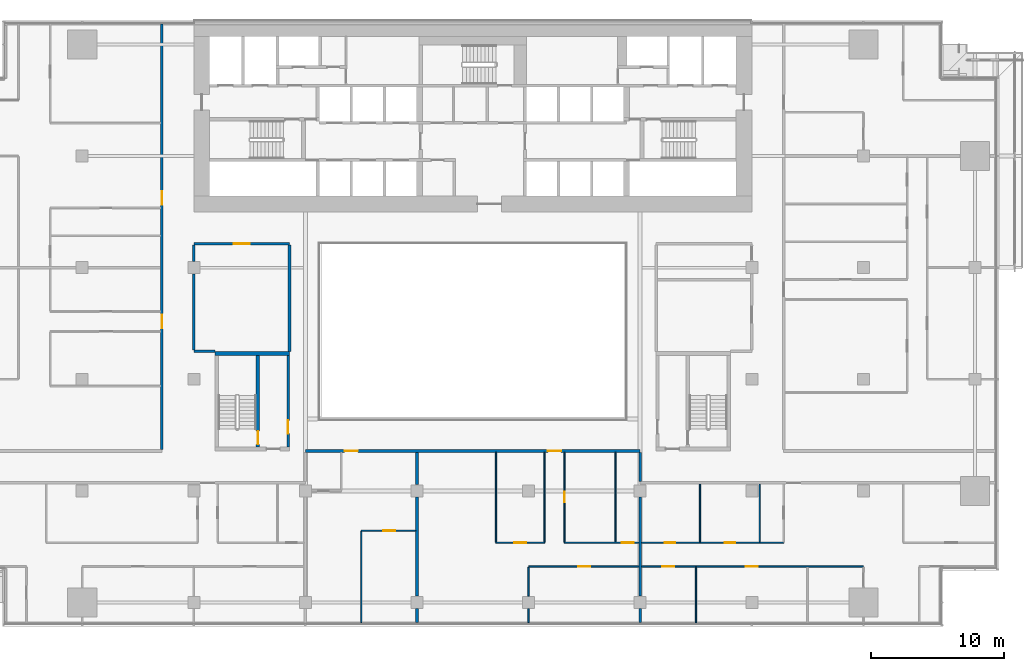
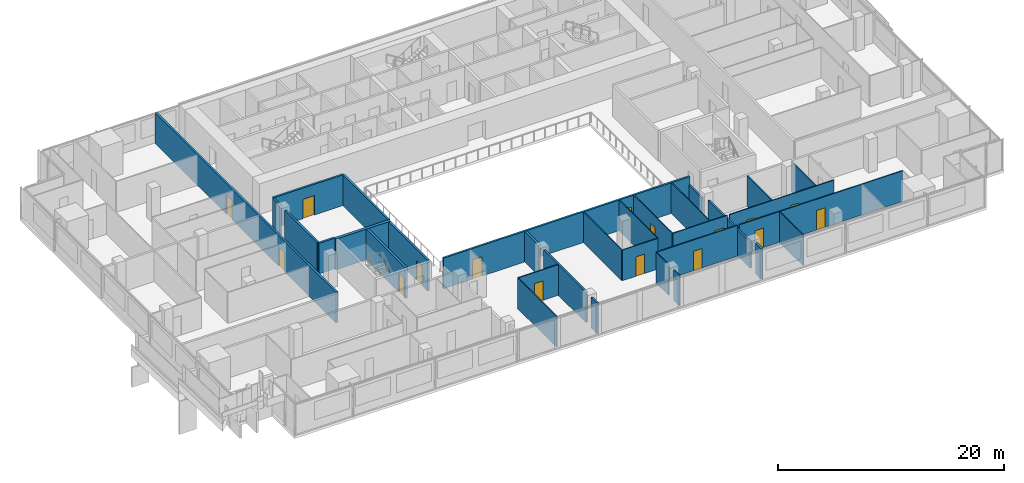
# One storey, part 17 of 27: 32 walls, 16 doors, 16 openings.
"""IFC4 building model written with IfcOpenShell, lengths in metres."""

from ifc_helpers import new_model, si_unit, direction, frame, frame_2d, origin, place, context, subcontext, project, spatial, rectangle, extrude, material, layer, layer_set, type_object, element, fill, save


model = new_model("IFC4")

# Units and contexts
model_context = context("Model", 3, precision=1e-05, world=origin(), true_north=direction((0.0, 1.0)))
body_context = subcontext(model_context, "Body", "Model", "MODEL_VIEW")
ifc_project = project(units=[si_unit("LENGTHUNIT", "METRE"), si_unit("AREAUNIT", "SQUARE_METRE"), si_unit("VOLUMEUNIT", "CUBIC_METRE"), si_unit("PLANEANGLEUNIT", "RADIAN"), si_unit("MASSUNIT", "GRAM", prefix="KILO")], contexts=[model_context])

# Site, building, storey
site_placement = place(None, origin())
site = spatial("IfcSite", under=ifc_project, at=site_placement, CompositionType="ELEMENT")
building_placement = place(site_placement, origin())
building = spatial("IfcBuilding", under=site, at=building_placement, Name="Saffron Gate Tower", CompositionType="ELEMENT")
storey_placement = place(building_placement, frame((0.0, 0.0, 76.800048828125)))
storey = spatial("IfcBuildingStorey", under=building, at=storey_placement, Name="L18", CompositionType="ELEMENT", Elevation=76.800048828125)

# Wall, opening, door
ifc_material_1 = material(Name="Gypsum board partition on steel studs", Category="steel")
ifc_layer_1 = layer(ifc_material_1, 0.199951171875)
ifc_layer_set_1 = layer_set([ifc_layer_1], Name="CW10 Core partition 200")
wall_type_1 = type_object("IfcWallType", Name="CW10 Core partition 200", PredefinedType="PARTITIONING", material=ifc_layer_set_1)
wall_1_placement = place(storey_placement, frame((73.699951171875, 43.5, 0.0), z_axis=(0.0, 0.0, 1.0), x_axis=(0.0, 1.0, 0.0)))
wall_1 = element("IfcWall", 1, at=wall_1_placement, inside=storey, type_object=wall_type_1, Name="Wall CW10-L18-D-4", PredefinedType="PARTITIONING", context=body_context, shape_type="SweptSolid", body=[
    extrude(rectangle(XDim=6.89990234375, YDim=0.199951171875, at=frame_2d((3.449951171875, 0.0))), origin(), (0.0, 0.0, 1.0), 3.320068359375),
])
opening_1_placement = place(wall_1_placement, frame((1.0, 0.0, 0.0)))
opening_1 = element("IfcOpeningElement", 2, at=opening_1_placement, cuts=wall_1, Name="Opening CR-19", PredefinedType="OPENING", context=body_context, shape_type="SweptSolid", body=[
    extrude(rectangle(XDim=1.0, YDim=2.10009765625, at=frame_2d((0.5, 1.050048828125))), frame((0.0, 0.10986328125, 0.0), z_axis=(0.0, -1.0, 0.0), x_axis=(1.0, 0.0, 0.0)), (0.0, 0.0, 1.0), 0.219970703125),
])
ifc_material_2 = material(Name="Steel fire door set", Category="steel")
door_type_1 = type_object("IfcDoorType", Name="CD4 Lobby door 1000x2100 EI 120", OperationType="NOTDEFINED", PredefinedType="DOOR", material=ifc_material_2)
door_1_placement = place(opening_1_placement, origin())
door_1 = element("IfcDoor", 3, at=door_1_placement, inside=storey, type_object=door_type_1, Name="DOOR CR-19", OperationType="SINGLE_SWING_RIGHT", OverallHeight=2.10009765625, OverallWidth=1.0, PredefinedType="DOOR", context=body_context, shape_type="SweptSolid", body=[
    extrude(rectangle(XDim=1.0, YDim=2.10009765625, at=frame_2d((0.5, 1.050048828125))), frame((0.0, 0.02490234375, 0.0), z_axis=(0.0, -1.0, 0.0), x_axis=(1.0, 0.0, 0.0)), (0.0, 0.0, 1.0), 0.050048828125),
])
fill(opening_1, door_1)

ifc_material_3 = material(Name="Concrete C70", Category="concrete")
ifc_layer_2 = layer(ifc_material_3, 0.25)
ifc_layer_set_2 = layer_set([ifc_layer_2], Name="CW2 RC core wall 250 C70")
wall_type_2 = type_object("IfcWallType", Name="CW2 RC core wall 250 C70", PredefinedType="SOLIDWALL", material=ifc_layer_set_2)
wall_2_placement = place(storey_placement, frame((71.425048828125, 43.5, 0.0), z_axis=(0.0, 0.0, 1.0), x_axis=(0.0, 1.0, 0.0)))
wall_2 = element("IfcWall", 4, at=wall_2_placement, inside=storey, type_object=wall_type_2, Name="Wall CW2-L18-D-3", PredefinedType="SOLIDWALL", context=body_context, shape_type="SweptSolid", body=[
    extrude(rectangle(XDim=6.89990234375, YDim=0.25, at=frame_2d((3.449951171875, 0.0))), origin(), (0.0, 0.0, 1.0), 3.320068359375),
])
opening_2_placement = place(wall_2_placement, frame((0.199951171875, 0.0, 0.0)))
opening_2 = element("IfcOpeningElement", 5, at=opening_2_placement, cuts=wall_2, Name="Opening CR-20", PredefinedType="OPENING", context=body_context, shape_type="SweptSolid", body=[
    extrude(rectangle(XDim=1.0, YDim=2.10009765625, at=frame_2d((0.5, 1.050048828125))), frame((0.0, 0.135009765625, 0.0), z_axis=(0.0, -1.0, 0.0), x_axis=(1.0, 0.0, 0.0)), (0.0, 0.0, 1.0), 0.27001953125),
])
door_type_2 = type_object("IfcDoorType", Name="CD5 Stair door 1000x2100 EI 120", OperationType="NOTDEFINED", PredefinedType="DOOR", material=ifc_material_2)
door_2_placement = place(opening_2_placement, origin())
door_2 = element("IfcDoor", 6, at=door_2_placement, inside=storey, type_object=door_type_2, Name="DOOR CR-20", OperationType="SINGLE_SWING_LEFT", OverallHeight=2.10009765625, OverallWidth=1.0, PredefinedType="DOOR", context=body_context, shape_type="SweptSolid", body=[
    extrude(rectangle(XDim=1.0, YDim=2.10009765625, at=frame_2d((0.5, 1.050048828125))), frame((0.0, 0.02490234375, 0.0), z_axis=(0.0, -1.0, 0.0), x_axis=(1.0, 0.0, 0.0)), (0.0, 0.0, 1.0), 0.050048828125),
])
fill(opening_2, door_2)

# Wall
ifc_layer_3 = layer(ifc_material_3, 0.300048828125)
ifc_layer_set_3 = layer_set([ifc_layer_3], Name="CW5 RC core wall 300 C70")
wall_type_3 = type_object("IfcWallType", Name="CW5 RC core wall 300 C70", PredefinedType="SOLIDWALL", material=ifc_layer_set_3)
wall_3_placement = place(storey_placement, frame((68.199951171875, 50.550048828125, 0.0), z_axis=(0.0, 0.0, 1.0), x_axis=(1.0, 0.0, 0.0)))
element("IfcWall", 7, at=wall_3_placement, inside=storey, type_object=wall_type_3, Name="Wall CW5-L18-D-5", PredefinedType="SOLIDWALL", context=body_context, shape_type="SweptSolid", body=[
    extrude(rectangle(XDim=5.60009765625, YDim=0.300048828125, at=frame_2d((2.800048828125, 0.0))), origin(), (0.0, 0.0, 1.0), 3.320068359375),
])

# Wall, opening, door
ifc_material_4 = material(Name="Plasterboard on steel studs", Category="steel")
ifc_layer_4 = layer(ifc_material_4, 0.10009765625)
ifc_layer_set_4 = layer_set([ifc_layer_4], Name="PW1 Partition 100")
wall_type_4 = type_object("IfcWallType", Name="PW1 Partition 100", PredefinedType="PARTITIONING", material=ifc_layer_set_4)
wall_4_placement = place(storey_placement, frame((89.342041015625, 36.300048828125, 0.0), z_axis=(0.0, 0.0, 1.0), x_axis=(1.0, 0.0, 0.0)))
wall_4 = element("IfcWall", 8, at=wall_4_placement, inside=storey, type_object=wall_type_4, Name="Partition A4-6", PredefinedType="PARTITIONING", context=body_context, shape_type="SweptSolid", body=[
    extrude(rectangle(XDim=3.657958984375, YDim=0.10009765625, at=frame_2d((1.8291015625, 0.0))), origin(), (0.0, 0.0, 1.0), 3.320068359375),
])
opening_3_placement = place(wall_4_placement, frame((1.37890625, 0.0, 0.0)))
opening_3 = element("IfcOpeningElement", 9, at=opening_3_placement, cuts=wall_4, Name="Opening A4-15", PredefinedType="OPENING", context=body_context, shape_type="SweptSolid", body=[
    extrude(rectangle(XDim=0.89990234375, YDim=2.10009765625, at=frame_2d((0.449951171875, 1.050048828125))), frame((0.0, 0.06005859375, 0.0), z_axis=(0.0, -1.0, 0.0), x_axis=(1.0, 0.0, 0.0)), (0.0, 0.0, 1.0), 0.1201171875),
])
ifc_material_5 = material(Name="Timber door set", Category="wood")
door_type_3 = type_object("IfcDoorType", Name="RD1 Room door 900x2100", OperationType="NOTDEFINED", PredefinedType="DOOR", material=ifc_material_5)
door_3_placement = place(opening_3_placement, origin())
door_3 = element("IfcDoor", 10, at=door_3_placement, inside=storey, type_object=door_type_3, Name="Door A4-15", OperationType="SINGLE_SWING_LEFT", OverallHeight=2.10009765625, OverallWidth=0.89990234375, PredefinedType="DOOR", context=body_context, shape_type="SweptSolid", body=[
    extrude(rectangle(XDim=0.89990234375, YDim=2.10009765625, at=frame_2d((0.449951171875, 1.050048828125))), frame((0.0, 0.02490234375, 0.0), z_axis=(0.0, -1.0, 0.0), x_axis=(1.0, 0.0, 0.0)), (0.0, 0.0, 1.0), 0.050048828125),
])
fill(opening_3, door_3)

wall_5_placement = place(storey_placement, frame((83.300048828125, 37.199951171875, 0.0), z_axis=(0.0, 0.0, 1.0), x_axis=(-1.0, 0.0, 0.0)))
wall_5 = element("IfcWall", 11, at=wall_5_placement, inside=storey, type_object=wall_type_4, Name="Partition A4-8", PredefinedType="PARTITIONING", context=body_context, shape_type="SweptSolid", body=[
    extrude(rectangle(XDim=4.10009765625, YDim=0.10009765625, at=frame_2d((2.050048828125, 0.0))), origin(), (0.0, 0.0, 1.0), 3.320068359375),
])
opening_4_placement = place(wall_5_placement, frame((1.550048828125, 0.0, 0.0)))
opening_4 = element("IfcOpeningElement", 12, at=opening_4_placement, cuts=wall_5, Name="Opening A4-13", PredefinedType="OPENING", context=body_context, shape_type="SweptSolid", body=[
    extrude(rectangle(XDim=0.89990234375, YDim=2.10009765625, at=frame_2d((0.449951171875, 1.050048828125))), frame((0.0, 0.06005859375, 0.0), z_axis=(0.0, -1.0, 0.0), x_axis=(1.0, 0.0, 0.0)), (0.0, 0.0, 1.0), 0.1201171875),
])
door_4_placement = place(opening_4_placement, origin())
door_4 = element("IfcDoor", 13, at=door_4_placement, inside=storey, type_object=door_type_3, Name="Door A4-13", OperationType="SINGLE_SWING_LEFT", OverallHeight=2.10009765625, OverallWidth=0.89990234375, PredefinedType="DOOR", context=body_context, shape_type="SweptSolid", body=[
    extrude(rectangle(XDim=0.89990234375, YDim=2.10009765625, at=frame_2d((0.449951171875, 1.050048828125))), frame((0.0, 0.02490234375, 0.0), z_axis=(0.0, -1.0, 0.0), x_axis=(1.0, 0.0, 0.0)), (0.0, 0.0, 1.0), 0.050048828125),
])
fill(opening_4, door_4)

# Walls
wall_6_placement = place(storey_placement, frame((79.199951171875, 37.14990234375, 0.0), z_axis=(0.0, 0.0, 1.0), x_axis=(0.0, -1.0, 0.0)))
element("IfcWall", 14, at=wall_6_placement, inside=storey, type_object=wall_type_4, Name="Partition A4-70", PredefinedType="PARTITIONING", context=body_context, shape_type="SweptSolid", body=[
    extrude(rectangle(XDim=6.869873046875, YDim=0.10009765625, at=frame_2d((3.43505859375, 0.0))), origin(), (0.0, 0.0, 1.0), 3.320068359375),
])
wall_7_placement = place(storey_placement, frame((89.342041015625, 43.10009765625, 0.0), z_axis=(0.0, 0.0, 1.0), x_axis=(0.0, -1.0, 0.0)))
element("IfcWall", 15, at=wall_7_placement, inside=storey, type_object=wall_type_4, Name="Partition A4-74", PredefinedType="PARTITIONING", context=body_context, shape_type="SweptSolid", body=[
    extrude(rectangle(XDim=6.75, YDim=0.10009765625, at=frame_2d((3.375, 0.0))), origin(), (0.0, 0.0, 1.0), 3.320068359375),
])
wall_8_placement = place(storey_placement, frame((91.800048828125, 31.330078125, 0.0), z_axis=(0.0, 0.0, 1.0), x_axis=(0.0, -1.0, 0.0)))
element("IfcWall", 16, at=wall_8_placement, inside=storey, type_object=wall_type_4, Name="Partition A4-75", PredefinedType="PARTITIONING", context=body_context, shape_type="SweptSolid", body=[
    extrude(rectangle(XDim=1.050048828125, YDim=0.10009765625, at=frame_2d((0.52490234375, 0.0))), origin(), (0.0, 0.0, 1.0), 3.320068359375),
])
wall_9_placement = place(storey_placement, frame((91.800048828125, 34.449951171875, 0.0), z_axis=(0.0, 0.0, 1.0), x_axis=(0.0, -1.0, 0.0)))
element("IfcWall", 17, at=wall_9_placement, inside=storey, type_object=wall_type_4, Name="Partition A4-76", PredefinedType="PARTITIONING", context=body_context, shape_type="SweptSolid", body=[
    extrude(rectangle(XDim=2.179931640625, YDim=0.10009765625, at=frame_2d((1.08984375, 0.0))), origin(), (0.0, 0.0, 1.0), 3.320068359375),
])
wall_10_placement = place(storey_placement, frame((93.0, 43.10009765625, 0.0), z_axis=(0.0, 0.0, 1.0), x_axis=(0.0, -1.0, 0.0)))
element("IfcWall", 18, at=wall_10_placement, inside=storey, type_object=wall_type_4, Name="Partition A4-77", PredefinedType="PARTITIONING", context=body_context, shape_type="SweptSolid", body=[
    extrude(rectangle(XDim=6.75, YDim=0.10009765625, at=frame_2d((3.375, 0.0))), origin(), (0.0, 0.0, 1.0), 3.320068359375),
])

# Wall, opening, door
wall_11_placement = place(storey_placement, frame((94.5, 43.10009765625, 0.0), z_axis=(0.0, 0.0, 1.0), x_axis=(0.0, -1.0, 0.0)))
wall_11 = element("IfcWall", 19, at=wall_11_placement, inside=storey, type_object=wall_type_4, Name="Partition A4-78", PredefinedType="PARTITIONING", context=body_context, shape_type="SweptSolid", body=[
    extrude(rectangle(XDim=6.75, YDim=0.10009765625, at=frame_2d((3.375, 0.0))), origin(), (0.0, 0.0, 1.0), 3.320068359375),
])
opening_5_placement = place(wall_11_placement, frame((2.949951171875, 0.0, 0.0)))
opening_5 = element("IfcOpeningElement", 20, at=opening_5_placement, cuts=wall_11, Name="Opening A4-37", PredefinedType="OPENING", context=body_context, shape_type="SweptSolid", body=[
    extrude(rectangle(XDim=0.800048828125, YDim=2.10009765625, at=frame_2d((0.39990234375, 1.050048828125))), frame((0.0, 0.06005859375, 0.0), z_axis=(0.0, -1.0, 0.0), x_axis=(1.0, 0.0, 0.0)), (0.0, 0.0, 1.0), 0.1201171875),
])
door_type_4 = type_object("IfcDoorType", Name="RD2 Bathroom door 800x2100", OperationType="NOTDEFINED", PredefinedType="DOOR", material=ifc_material_5)
door_5_placement = place(opening_5_placement, origin())
door_5 = element("IfcDoor", 21, at=door_5_placement, inside=storey, type_object=door_type_4, Name="Door A4-37", OperationType="SINGLE_SWING_LEFT", OverallHeight=2.10009765625, OverallWidth=0.800048828125, PredefinedType="DOOR", context=body_context, shape_type="SweptSolid", body=[
    extrude(rectangle(XDim=0.800048828125, YDim=2.10009765625, at=frame_2d((0.39990234375, 1.050048828125))), frame((0.0, 0.02490234375, 0.0), z_axis=(0.0, -1.0, 0.0), x_axis=(1.0, 0.0, 0.0)), (0.0, 0.0, 1.0), 0.050048828125),
])
fill(opening_5, door_5)

# Walls
wall_12_placement = place(storey_placement, frame((98.340576171875, 43.10009765625, 0.0), z_axis=(0.0, 0.0, 1.0), x_axis=(0.0, -1.0, 0.0)))
element("IfcWall", 22, at=wall_12_placement, inside=storey, type_object=wall_type_4, Name="Partition A4-79", PredefinedType="PARTITIONING", context=body_context, shape_type="SweptSolid", body=[
    extrude(rectangle(XDim=6.75, YDim=0.10009765625, at=frame_2d((3.375, 0.0))), origin(), (0.0, 0.0, 1.0), 3.320068359375),
])
wall_13_placement = place(storey_placement, frame((104.39990234375, 34.449951171875, 0.0), z_axis=(0.0, 0.0, 1.0), x_axis=(0.0, -1.0, 0.0)))
element("IfcWall", 23, at=wall_13_placement, inside=storey, type_object=wall_type_4, Name="Partition A4-84", PredefinedType="PARTITIONING", context=body_context, shape_type="SweptSolid", body=[
    extrude(rectangle(XDim=4.169921875, YDim=0.10009765625, at=frame_2d((2.0849609375, 0.0))), origin(), (0.0, 0.0, 1.0), 3.320068359375),
])
for number, where, z_axis, x_axis, name in (
    (24, (104.699951171875, 40.699951171875, 0.0), (0.0, 0.0, 1.0), (0.0, -1.0, 0.0), "Partition A4-85"),
    (25, (109.199951171875, 40.699951171875, 0.0), (0.0, 0.0, 1.0), (0.0, -1.0, 0.0), "Partition A4-88"),
):
    element("IfcWall", number, at=place(storey_placement, frame(where, z_axis=z_axis, x_axis=x_axis)), inside=storey, type_object=wall_type_4, Name=name, PredefinedType="PARTITIONING", context=body_context, shape_type="SweptSolid", body=[
        extrude(rectangle(XDim=4.349853515625, YDim=0.10009765625, at=frame_2d((2.1748046875, 0.0))), origin(), (0.0, 0.0, 1.0), 3.320068359375),
    ])

# Wall, opening, door
wall_14_placement = place(storey_placement, frame((100.10009765625, 34.5, 0.0), z_axis=(0.0, 0.0, 1.0), x_axis=(-1.0, 0.0, 0.0)))
wall_14 = element("IfcWall", 26, at=wall_14_placement, inside=storey, type_object=wall_type_4, Name="Partition A4-101", PredefinedType="PARTITIONING", context=body_context, shape_type="SweptSolid", body=[
    extrude(rectangle(XDim=8.300048828125, YDim=0.10009765625, at=frame_2d((4.14990234375, 0.0))), origin(), (0.0, 0.0, 1.0), 3.320068359375),
])
opening_6_placement = place(wall_14_placement, frame((3.64990234375, 0.0, 0.0)))
opening_6 = element("IfcOpeningElement", 27, at=opening_6_placement, cuts=wall_14, Name="Opening A4-14", PredefinedType="OPENING", context=body_context, shape_type="SweptSolid", body=[
    extrude(rectangle(XDim=0.89990234375, YDim=2.10009765625, at=frame_2d((0.449951171875, 1.050048828125))), frame((0.0, 0.06005859375, 0.0), z_axis=(0.0, -1.0, 0.0), x_axis=(1.0, 0.0, 0.0)), (0.0, 0.0, 1.0), 0.1201171875),
])
door_6_placement = place(opening_6_placement, origin())
door_6 = element("IfcDoor", 28, at=door_6_placement, inside=storey, type_object=door_type_3, Name="Door A4-14", OperationType="SINGLE_SWING_LEFT", OverallHeight=2.10009765625, OverallWidth=0.89990234375, PredefinedType="DOOR", context=body_context, shape_type="SweptSolid", body=[
    extrude(rectangle(XDim=0.89990234375, YDim=2.10009765625, at=frame_2d((0.449951171875, 1.050048828125))), frame((0.0, 0.02490234375, 0.0), z_axis=(0.0, -1.0, 0.0), x_axis=(1.0, 0.0, 0.0)), (0.0, 0.0, 1.0), 0.050048828125),
])
fill(opening_6, door_6)

# Wall, openings, doors
wall_15_placement = place(storey_placement, frame((117.0, 34.5, 0.0), z_axis=(0.0, 0.0, 1.0), x_axis=(-1.0, 0.0, 0.0)))
wall_15 = element("IfcWall", 29, at=wall_15_placement, inside=storey, type_object=wall_type_4, Name="Partition A4-102", PredefinedType="PARTITIONING", context=body_context, shape_type="SweptSolid", body=[
    extrude(rectangle(XDim=16.699951171875, YDim=0.10009765625, at=frame_2d((8.35009765625, 0.0))), origin(), (0.0, 0.0, 1.0), 3.320068359375),
])
opening_7_placement = place(wall_15_placement, frame((7.949951171875, 0.0, 0.0)))
opening_7 = element("IfcOpeningElement", 30, at=opening_7_placement, cuts=wall_15, Name="Opening A4-18", PredefinedType="OPENING", context=body_context, shape_type="SweptSolid", body=[
    extrude(rectangle(XDim=0.89990234375, YDim=2.10009765625, at=frame_2d((0.449951171875, 1.050048828125))), frame((0.0, 0.06005859375, 0.0), z_axis=(0.0, -1.0, 0.0), x_axis=(1.0, 0.0, 0.0)), (0.0, 0.0, 1.0), 0.1201171875),
])
opening_8_placement = place(wall_15_placement, frame((14.25, 0.0, 0.0)))
opening_8 = element("IfcOpeningElement", 31, at=opening_8_placement, cuts=wall_15, Name="Opening A4-17", PredefinedType="OPENING", context=body_context, shape_type="SweptSolid", body=[
    extrude(rectangle(XDim=0.89990234375, YDim=2.10009765625, at=frame_2d((0.449951171875, 1.050048828125))), frame((0.0, 0.06005859375, 0.0), z_axis=(0.0, -1.0, 0.0), x_axis=(1.0, 0.0, 0.0)), (0.0, 0.0, 1.0), 0.1201171875),
])
door_7_placement = place(opening_7_placement, origin())
door_7 = element("IfcDoor", 32, at=door_7_placement, inside=storey, type_object=door_type_3, Name="Door A4-18", OperationType="SINGLE_SWING_LEFT", OverallHeight=2.10009765625, OverallWidth=0.89990234375, PredefinedType="DOOR", context=body_context, shape_type="SweptSolid", body=[
    extrude(rectangle(XDim=0.89990234375, YDim=2.10009765625, at=frame_2d((0.449951171875, 1.050048828125))), frame((0.0, 0.02490234375, 0.0), z_axis=(0.0, -1.0, 0.0), x_axis=(1.0, 0.0, 0.0)), (0.0, 0.0, 1.0), 0.050048828125),
])
fill(opening_7, door_7)
door_8_placement = place(opening_8_placement, origin())
door_8 = element("IfcDoor", 33, at=door_8_placement, inside=storey, type_object=door_type_3, Name="Door A4-17", OperationType="SINGLE_SWING_RIGHT", OverallHeight=2.10009765625, OverallWidth=0.89990234375, PredefinedType="DOOR", context=body_context, shape_type="SweptSolid", body=[
    extrude(rectangle(XDim=0.89990234375, YDim=2.10009765625, at=frame_2d((0.449951171875, 1.050048828125))), frame((0.0, 0.02490234375, 0.0), z_axis=(0.0, -1.0, 0.0), x_axis=(1.0, 0.0, 0.0)), (0.0, 0.0, 1.0), 0.050048828125),
])
fill(opening_8, door_8)

# Wall, opening, door
wall_16_placement = place(storey_placement, frame((94.5, 36.300048828125, 0.0), z_axis=(0.0, 0.0, 1.0), x_axis=(1.0, 0.0, 0.0)))
wall_16 = element("IfcWall", 34, at=wall_16_placement, inside=storey, type_object=wall_type_4, Name="Partition A4-103", PredefinedType="PARTITIONING", context=body_context, shape_type="SweptSolid", body=[
    extrude(rectangle(XDim=5.60009765625, YDim=0.10009765625, at=frame_2d((2.800048828125, 0.0))), origin(), (0.0, 0.0, 1.0), 3.320068359375),
])
opening_9_placement = place(wall_16_placement, frame((4.3203125, 0.0, 0.0)))
opening_9 = element("IfcOpeningElement", 35, at=opening_9_placement, cuts=wall_16, Name="Opening A4-16", PredefinedType="OPENING", context=body_context, shape_type="SweptSolid", body=[
    extrude(rectangle(XDim=0.89990234375, YDim=2.10009765625, at=frame_2d((0.449951171875, 1.050048828125))), frame((0.0, 0.06005859375, 0.0), z_axis=(0.0, -1.0, 0.0), x_axis=(1.0, 0.0, 0.0)), (0.0, 0.0, 1.0), 0.1201171875),
])
door_9_placement = place(opening_9_placement, origin())
door_9 = element("IfcDoor", 36, at=door_9_placement, inside=storey, type_object=door_type_3, Name="Door A4-16", OperationType="SINGLE_SWING_RIGHT", OverallHeight=2.10009765625, OverallWidth=0.89990234375, PredefinedType="DOOR", context=body_context, shape_type="SweptSolid", body=[
    extrude(rectangle(XDim=0.89990234375, YDim=2.10009765625, at=frame_2d((0.449951171875, 1.050048828125))), frame((0.0, 0.02490234375, 0.0), z_axis=(0.0, -1.0, 0.0), x_axis=(1.0, 0.0, 0.0)), (0.0, 0.0, 1.0), 0.050048828125),
])
fill(opening_9, door_9)

# Wall, openings, doors
wall_17_placement = place(storey_placement, frame((100.300048828125, 36.300048828125, 0.0), z_axis=(0.0, 0.0, 1.0), x_axis=(1.0, 0.0, 0.0)))
wall_17 = element("IfcWall", 37, at=wall_17_placement, inside=storey, type_object=wall_type_4, Name="Partition A4-104", PredefinedType="PARTITIONING", context=body_context, shape_type="SweptSolid", body=[
    extrude(rectangle(XDim=10.699951171875, YDim=0.10009765625, at=frame_2d((5.35009765625, 0.0))), origin(), (0.0, 0.0, 1.0), 3.320068359375),
])
opening_10_placement = place(wall_17_placement, frame((1.75, 0.0, 0.0)))
opening_10 = element("IfcOpeningElement", 38, at=opening_10_placement, cuts=wall_17, Name="Opening A4-38", PredefinedType="OPENING", context=body_context, shape_type="SweptSolid", body=[
    extrude(rectangle(XDim=0.800048828125, YDim=2.10009765625, at=frame_2d((0.39990234375, 1.050048828125))), frame((0.0, 0.06005859375, 0.0), z_axis=(0.0, -1.0, 0.0), x_axis=(1.0, 0.0, 0.0)), (0.0, 0.0, 1.0), 0.1201171875),
])
opening_11_placement = place(wall_17_placement, frame((6.25, 0.0, 0.0)))
opening_11 = element("IfcOpeningElement", 39, at=opening_11_placement, cuts=wall_17, Name="Opening A4-39", PredefinedType="OPENING", context=body_context, shape_type="SweptSolid", body=[
    extrude(rectangle(XDim=0.800048828125, YDim=2.10009765625, at=frame_2d((0.39990234375, 1.050048828125))), frame((0.0, 0.06005859375, 0.0), z_axis=(0.0, -1.0, 0.0), x_axis=(1.0, 0.0, 0.0)), (0.0, 0.0, 1.0), 0.1201171875),
])
door_10_placement = place(opening_10_placement, origin())
door_10 = element("IfcDoor", 40, at=door_10_placement, inside=storey, type_object=door_type_4, Name="Door A4-38", OperationType="SINGLE_SWING_LEFT", OverallHeight=2.10009765625, OverallWidth=0.800048828125, PredefinedType="DOOR", context=body_context, shape_type="SweptSolid", body=[
    extrude(rectangle(XDim=0.800048828125, YDim=2.10009765625, at=frame_2d((0.39990234375, 1.050048828125))), frame((0.0, 0.02490234375, 0.0), z_axis=(0.0, -1.0, 0.0), x_axis=(1.0, 0.0, 0.0)), (0.0, 0.0, 1.0), 0.050048828125),
])
fill(opening_10, door_10)
door_11_placement = place(opening_11_placement, origin())
door_11 = element("IfcDoor", 41, at=door_11_placement, inside=storey, type_object=door_type_4, Name="Door A4-39", OperationType="SINGLE_SWING_RIGHT", OverallHeight=2.10009765625, OverallWidth=0.800048828125, PredefinedType="DOOR", context=body_context, shape_type="SweptSolid", body=[
    extrude(rectangle(XDim=0.800048828125, YDim=2.10009765625, at=frame_2d((0.39990234375, 1.050048828125))), frame((0.0, 0.02490234375, 0.0), z_axis=(0.0, -1.0, 0.0), x_axis=(1.0, 0.0, 0.0)), (0.0, 0.0, 1.0), 0.050048828125),
])
fill(opening_11, door_11)

# Walls
ifc_material_6 = material(Name="Clay brick masonry, rendered", Category="masonry")
ifc_layer_5 = layer(ifc_material_6, 0.199951171875)
ifc_layer_set_5 = layer_set([ifc_layer_5], Name="PW2 Demising wall 200")
wall_type_5 = type_object("IfcWallType", Name="PW2 Demising wall 200", PredefinedType="PARTITIONING", material=ifc_layer_set_5)
wall_18_placement = place(storey_placement, frame((83.39990234375, 31.330078125, 0.0), z_axis=(0.0, 0.0, 1.0), x_axis=(0.0, -1.0, 0.0)))
element("IfcWall", 42, at=wall_18_placement, inside=storey, type_object=wall_type_5, Name="Wall A4-71", PredefinedType="PARTITIONING", context=body_context, shape_type="SweptSolid", body=[
    extrude(rectangle(XDim=1.050048828125, YDim=0.199951171875, at=frame_2d((0.52490234375, 0.0))), origin(), (0.0, 0.0, 1.0), 3.320068359375),
])
wall_19_placement = place(storey_placement, frame((83.39990234375, 39.72998046875, 0.0), z_axis=(0.0, 0.0, 1.0), x_axis=(0.0, -1.0, 0.0)))
element("IfcWall", 43, at=wall_19_placement, inside=storey, type_object=wall_type_5, Name="Wall A4-72", PredefinedType="PARTITIONING", context=body_context, shape_type="SweptSolid", body=[
    extrude(rectangle(XDim=7.4599609375, YDim=0.199951171875, at=frame_2d((3.72998046875, 0.0))), origin(), (0.0, 0.0, 1.0), 3.320068359375),
])
wall_20_placement = place(storey_placement, frame((83.39990234375, 43.10009765625, 0.0), z_axis=(0.0, 0.0, 1.0), x_axis=(0.0, -1.0, 0.0)))
element("IfcWall", 44, at=wall_20_placement, inside=storey, type_object=wall_type_5, Name="Wall A4-73", PredefinedType="PARTITIONING", context=body_context, shape_type="SweptSolid", body=[
    extrude(rectangle(XDim=2.43017578125, YDim=0.199951171875, at=frame_2d((1.215087890625, 0.0))), origin(), (0.0, 0.0, 1.0), 3.320068359375),
])
wall_21_placement = place(storey_placement, frame((100.199951171875, 31.330078125, 0.0), z_axis=(0.0, 0.0, 1.0), x_axis=(0.0, -1.0, 0.0)))
element("IfcWall", 45, at=wall_21_placement, inside=storey, type_object=wall_type_5, Name="Wall A4-81", PredefinedType="PARTITIONING", context=body_context, shape_type="SweptSolid", body=[
    extrude(rectangle(XDim=1.050048828125, YDim=0.199951171875, at=frame_2d((0.52490234375, 0.0))), origin(), (0.0, 0.0, 1.0), 3.320068359375),
])
wall_22_placement = place(storey_placement, frame((100.199951171875, 39.72998046875, 0.0), z_axis=(0.0, 0.0, 1.0), x_axis=(0.0, -1.0, 0.0)))
element("IfcWall", 46, at=wall_22_placement, inside=storey, type_object=wall_type_5, Name="Wall A4-82", PredefinedType="PARTITIONING", context=body_context, shape_type="SweptSolid", body=[
    extrude(rectangle(XDim=7.4599609375, YDim=0.199951171875, at=frame_2d((3.72998046875, 0.0))), origin(), (0.0, 0.0, 1.0), 2.829833984375),
])

# Wall, openings, doors
ifc_layer_6 = layer(ifc_material_6, 0.199951171875)
ifc_layer_set_6 = layer_set([ifc_layer_6], Name="PW3 Corridor wall 200")
wall_type_6 = type_object("IfcWallType", Name="PW3 Corridor wall 200", PredefinedType="PARTITIONING", material=ifc_layer_set_6)
wall_23_placement = place(storey_placement, frame((100.199951171875, 43.199951171875, 0.0), z_axis=(0.0, 0.0, 1.0), x_axis=(-1.0, 0.0, 0.0)))
wall_23 = element("IfcWall", 47, at=wall_23_placement, inside=storey, type_object=wall_type_6, Name="Wall A4-15", PredefinedType="PARTITIONING", context=body_context, shape_type="SweptSolid", body=[
    extrude(rectangle(XDim=25.199951171875, YDim=0.199951171875, at=frame_2d((12.60009765625, 0.0))), origin(), (0.0, 0.0, 1.0), 3.320068359375),
])
opening_12_placement = place(wall_23_placement, frame((5.949951171875, 0.0, 0.0)))
opening_12 = element("IfcOpeningElement", 48, at=opening_12_placement, cuts=wall_23, Name="Opening A4-3", PredefinedType="OPENING", context=body_context, shape_type="SweptSolid", body=[
    extrude(rectangle(XDim=1.0, YDim=2.10009765625, at=frame_2d((0.5, 1.050048828125))), frame((0.0, 0.10986328125, 0.0), z_axis=(0.0, -1.0, 0.0), x_axis=(1.0, 0.0, 0.0)), (0.0, 0.0, 1.0), 0.219970703125),
])
opening_13_placement = place(wall_23_placement, frame((21.25, 0.0, 0.0)))
opening_13 = element("IfcOpeningElement", 49, at=opening_13_placement, cuts=wall_23, Name="Opening A4-2", PredefinedType="OPENING", context=body_context, shape_type="SweptSolid", body=[
    extrude(rectangle(XDim=1.0, YDim=2.10009765625, at=frame_2d((0.5, 1.050048828125))), frame((0.0, 0.10986328125, 0.0), z_axis=(0.0, -1.0, 0.0), x_axis=(1.0, 0.0, 0.0)), (0.0, 0.0, 1.0), 0.219970703125),
])
ifc_material_7 = material(Name="Timber fire door set", Category="wood")
door_type_5 = type_object("IfcDoorType", Name="FD1 Flat entry door 1000x2100", OperationType="NOTDEFINED", PredefinedType="DOOR", material=ifc_material_7)
door_12_placement = place(opening_12_placement, origin())
door_12 = element("IfcDoor", 50, at=door_12_placement, inside=storey, type_object=door_type_5, Name="Door A4-3", OperationType="SINGLE_SWING_RIGHT", OverallHeight=2.10009765625, OverallWidth=1.0, PredefinedType="DOOR", context=body_context, shape_type="SweptSolid", body=[
    extrude(rectangle(XDim=1.0, YDim=2.10009765625, at=frame_2d((0.5, 1.050048828125))), frame((0.0, 0.02490234375, 0.0), z_axis=(0.0, -1.0, 0.0), x_axis=(1.0, 0.0, 0.0)), (0.0, 0.0, 1.0), 0.050048828125),
])
fill(opening_12, door_12)
door_13_placement = place(opening_13_placement, origin())
door_13 = element("IfcDoor", 51, at=door_13_placement, inside=storey, type_object=door_type_5, Name="Door A4-2", OperationType="SINGLE_SWING_LEFT", OverallHeight=2.10009765625, OverallWidth=1.0, PredefinedType="DOOR", context=body_context, shape_type="SweptSolid", body=[
    extrude(rectangle(XDim=1.0, YDim=2.10009765625, at=frame_2d((0.5, 1.050048828125))), frame((0.0, 0.02490234375, 0.0), z_axis=(0.0, -1.0, 0.0), x_axis=(1.0, 0.0, 0.0)), (0.0, 0.0, 1.0), 0.050048828125),
])
fill(opening_13, door_13)

# Wall
wall_24_placement = place(storey_placement, frame((66.60009765625, 50.699951171875, 0.0), z_axis=(0.0, 0.0, 1.0), x_axis=(1.0, 0.0, 0.0)))
element("IfcWall", 52, at=wall_24_placement, inside=storey, type_object=wall_type_6, Name="Wall A4-23", PredefinedType="PARTITIONING", context=body_context, shape_type="SweptSolid", body=[
    extrude(rectangle(XDim=1.599853515625, YDim=0.199951171875, at=frame_2d((0.7998046875, 0.0))), origin(), (0.0, 0.0, 1.0), 3.320068359375),
])

# Wall, opening, door
wall_25_placement = place(storey_placement, frame((73.800048828125, 58.800048828125, 0.0), z_axis=(0.0, 0.0, 1.0), x_axis=(-1.0, 0.0, 0.0)))
wall_25 = element("IfcWall", 53, at=wall_25_placement, inside=storey, type_object=wall_type_6, Name="Wall A4-35", PredefinedType="PARTITIONING", context=body_context, shape_type="SweptSolid", body=[
    extrude(rectangle(XDim=7.199951171875, YDim=0.199951171875, at=frame_2d((3.60009765625, 0.0))), origin(), (0.0, 0.0, 1.0), 3.320068359375),
])
opening_14_placement = place(wall_25_placement, frame((3.0, 0.0, 0.0)))
opening_14 = element("IfcOpeningElement", 54, at=opening_14_placement, cuts=wall_25, Name="Opening A4-47", PredefinedType="OPENING", context=body_context, shape_type="SweptSolid", body=[
    extrude(rectangle(XDim=1.199951171875, YDim=2.10009765625, at=frame_2d((0.60009765625, 1.050048828125))), frame((0.0, 0.10986328125, 0.0), z_axis=(0.0, -1.0, 0.0), x_axis=(1.0, 0.0, 0.0)), (0.0, 0.0, 1.0), 0.219970703125),
])
door_type_6 = type_object("IfcDoorType", Name="HD1 Hall door 1200x2100", OperationType="NOTDEFINED", PredefinedType="DOOR", material=ifc_material_5)
door_14_placement = place(opening_14_placement, origin())
door_14 = element("IfcDoor", 55, at=door_14_placement, inside=storey, type_object=door_type_6, Name="Door A4-47", OperationType="SINGLE_SWING_LEFT", OverallHeight=2.10009765625, OverallWidth=1.199951171875, PredefinedType="DOOR", context=body_context, shape_type="SweptSolid", body=[
    extrude(rectangle(XDim=1.199951171875, YDim=2.10009765625, at=frame_2d((0.60009765625, 1.050048828125))), frame((0.0, 0.02490234375, 0.0), z_axis=(0.0, -1.0, 0.0), x_axis=(1.0, 0.0, 0.0)), (0.0, 0.0, 1.0), 0.050048828125),
])
fill(opening_14, door_14)

# Wall, openings, doors
wall_26_placement = place(storey_placement, frame((64.199951171875, 43.300048828125, 0.0), z_axis=(0.0, 0.0, 1.0), x_axis=(0.0, 1.0, 0.0)))
wall_26 = element("IfcWall", 56, at=wall_26_placement, inside=storey, type_object=wall_type_6, Name="Wall A4-57", PredefinedType="PARTITIONING", context=body_context, shape_type="SweptSolid", body=[
    extrude(rectangle(XDim=32.02001953125, YDim=0.199951171875, at=frame_2d((16.010009765625, 0.0))), origin(), (0.0, 0.0, 1.0), 3.320068359375),
])
opening_15_placement = place(wall_26_placement, frame((9.14990234375, 0.0, 0.0)))
opening_15 = element("IfcOpeningElement", 57, at=opening_15_placement, cuts=wall_26, Name="Opening A4-5", PredefinedType="OPENING", context=body_context, shape_type="SweptSolid", body=[
    extrude(rectangle(XDim=1.0, YDim=2.10009765625, at=frame_2d((0.5, 1.050048828125))), frame((0.0, 0.10986328125, 0.0), z_axis=(0.0, -1.0, 0.0), x_axis=(1.0, 0.0, 0.0)), (0.0, 0.0, 1.0), 0.219970703125),
])
opening_16_placement = place(wall_26_placement, frame((18.449951171875, 0.0, 0.0)))
opening_16 = element("IfcOpeningElement", 58, at=opening_16_placement, cuts=wall_26, Name="Opening A4-6", PredefinedType="OPENING", context=body_context, shape_type="SweptSolid", body=[
    extrude(rectangle(XDim=1.0, YDim=2.10009765625, at=frame_2d((0.5, 1.050048828125))), frame((0.0, 0.10986328125, 0.0), z_axis=(0.0, -1.0, 0.0), x_axis=(1.0, 0.0, 0.0)), (0.0, 0.0, 1.0), 0.219970703125),
])
door_15_placement = place(opening_15_placement, origin())
door_15 = element("IfcDoor", 59, at=door_15_placement, inside=storey, type_object=door_type_5, Name="Door A4-5", OperationType="SINGLE_SWING_RIGHT", OverallHeight=2.10009765625, OverallWidth=1.0, PredefinedType="DOOR", context=body_context, shape_type="SweptSolid", body=[
    extrude(rectangle(XDim=1.0, YDim=2.10009765625, at=frame_2d((0.5, 1.050048828125))), frame((0.0, 0.02490234375, 0.0), z_axis=(0.0, -1.0, 0.0), x_axis=(1.0, 0.0, 0.0)), (0.0, 0.0, 1.0), 0.050048828125),
])
fill(opening_15, door_15)
door_16_placement = place(opening_16_placement, origin())
door_16 = element("IfcDoor", 60, at=door_16_placement, inside=storey, type_object=door_type_5, Name="Door A4-6", OperationType="SINGLE_SWING_RIGHT", OverallHeight=2.10009765625, OverallWidth=1.0, PredefinedType="DOOR", context=body_context, shape_type="SweptSolid", body=[
    extrude(rectangle(XDim=1.0, YDim=2.10009765625, at=frame_2d((0.5, 1.050048828125))), frame((0.0, 0.02490234375, 0.0), z_axis=(0.0, -1.0, 0.0), x_axis=(1.0, 0.0, 0.0)), (0.0, 0.0, 1.0), 0.050048828125),
])
fill(opening_16, door_16)

# Walls
wall_27_placement = place(storey_placement, frame((66.60009765625, 56.530029296875, 0.0), z_axis=(0.0, 0.0, 1.0), x_axis=(0.0, -1.0, 0.0)))
element("IfcWall", 61, at=wall_27_placement, inside=storey, type_object=wall_type_6, Name="Wall A4-58", PredefinedType="PARTITIONING", context=body_context, shape_type="SweptSolid", body=[
    extrude(rectangle(XDim=5.72998046875, YDim=0.199951171875, at=frame_2d((2.864990234375, 0.0))), origin(), (0.0, 0.0, 1.0), 3.320068359375),
])
wall_28_placement = place(storey_placement, frame((66.60009765625, 58.699951171875, 0.0), z_axis=(0.0, 0.0, 1.0), x_axis=(0.0, -1.0, 0.0)))
element("IfcWall", 62, at=wall_28_placement, inside=storey, type_object=wall_type_6, Name="Wall A4-59", PredefinedType="PARTITIONING", context=body_context, shape_type="SweptSolid", body=[
    extrude(rectangle(XDim=1.22998046875, YDim=0.199951171875, at=frame_2d((0.614990234375, 0.0))), origin(), (0.0, 0.0, 1.0), 3.320068359375),
])
wall_29_placement = place(storey_placement, frame((73.800048828125, 58.699951171875, 0.0), z_axis=(0.0, 0.0, 1.0), x_axis=(0.0, -1.0, 0.0)))
element("IfcWall", 63, at=wall_29_placement, inside=storey, type_object=wall_type_6, Name="Wall A4-65", PredefinedType="PARTITIONING", context=body_context, shape_type="SweptSolid", body=[
    extrude(rectangle(XDim=8.0, YDim=0.199951171875, at=frame_2d((4.0, 0.0))), origin(), (0.0, 0.0, 1.0), 3.320068359375),
])
wall_30_placement = place(storey_placement, frame((100.199951171875, 43.10009765625, 0.0), z_axis=(0.0, 0.0, 1.0), x_axis=(0.0, -1.0, 0.0)))
element("IfcWall", 64, at=wall_30_placement, inside=storey, type_object=wall_type_6, Name="Wall A4-80", PredefinedType="PARTITIONING", context=body_context, shape_type="SweptSolid", body=[
    extrude(rectangle(XDim=2.2001953125, YDim=0.199951171875, at=frame_2d((1.10009765625, 0.0))), origin(), (0.0, 0.0, 1.0), 2.429931640625),
])

save(model, "model.ifc")
